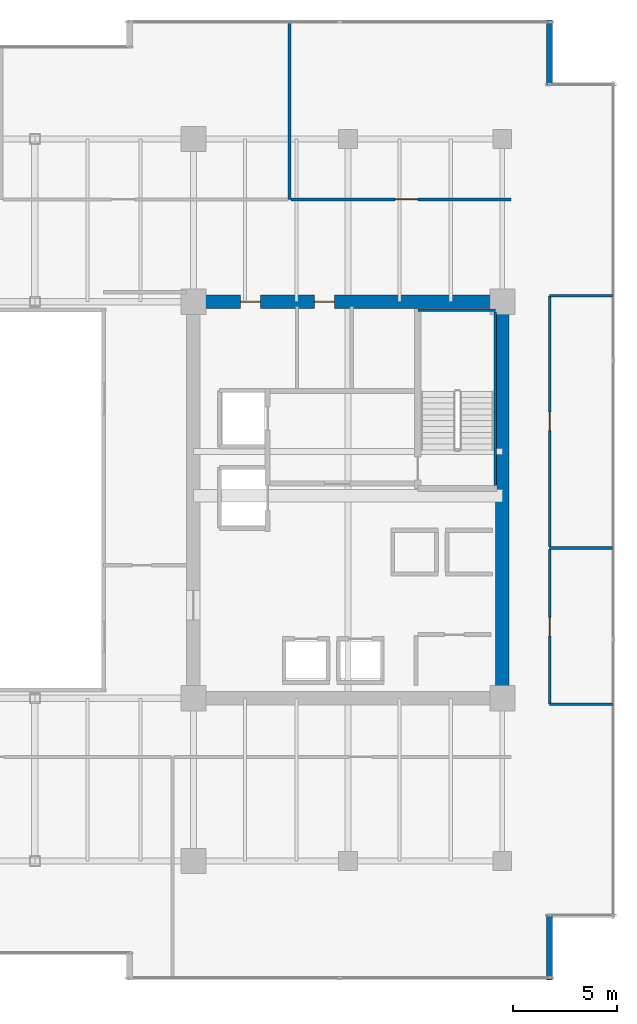
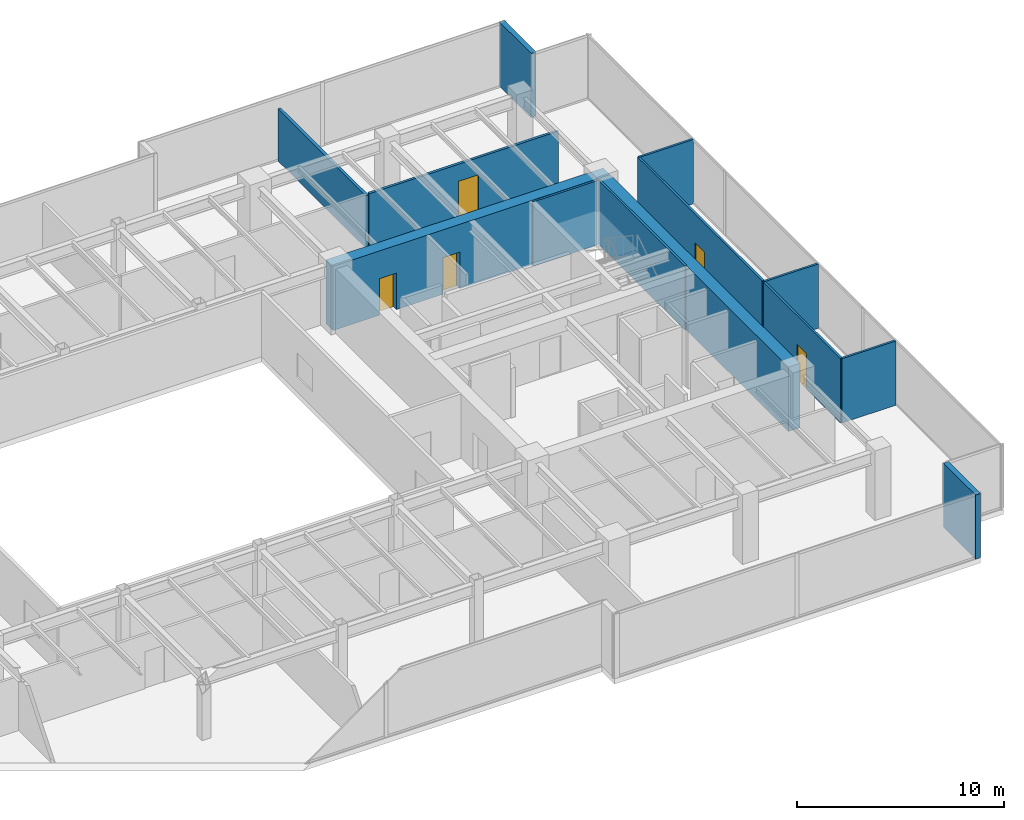
# One storey, part 28 of 31: 13 walls, 5 doors, 5 openings.
"""IFC4 building model written with IfcOpenShell, lengths in metres."""

from ifc_helpers import new_model, si_unit, direction, frame, frame_2d, origin, place, context, subcontext, project, spatial, rectangle, extrude, source, transform, mapped, material, layer, layer_set, type_object, type_shapes, element, fill, save


model = new_model("IFC4")

# Units and contexts
model_context = context("Model", 3, precision=1e-05, world=origin(), true_north=direction((0.0, 1.0)))
body_context = subcontext(model_context, "Body", "Model", "MODEL_VIEW")
ifc_project = project(units=[si_unit("LENGTHUNIT", "METRE"), si_unit("AREAUNIT", "SQUARE_METRE"), si_unit("VOLUMEUNIT", "CUBIC_METRE"), si_unit("PLANEANGLEUNIT", "RADIAN"), si_unit("MASSUNIT", "GRAM", prefix="KILO")], contexts=[model_context])

# Site, building, storey
site_placement = place(None, origin())
site = spatial("IfcSite", under=ifc_project, at=site_placement, CompositionType="ELEMENT")
building_placement = place(site_placement, origin())
building = spatial("IfcBuilding", under=site, at=building_placement, Name="Haelvirn Gate Laboratories", CompositionType="ELEMENT")
storey_placement = place(building_placement, frame((0.0, 0.0, 174.800048828125)))
storey = spatial("IfcBuildingStorey", under=building, at=storey_placement, Name="L42", CompositionType="ELEMENT", Elevation=174.800048828125)

# Walls
ifc_material_1 = material(Name="Thermally-broken bronze aluminium rainscreen & mineral wool", Category="aluminium")
ifc_layer_1 = layer(ifc_material_1, 0.280029296875, Name="EW-TERR-280")
ifc_layer_set_1 = layer_set([ifc_layer_1], Name="Thermally-broken bronze aluminium rainscreen & mineral wool")
wall_type_1 = type_object("IfcWallType", Name="EW-TERR-280", PredefinedType="STANDARD", material=ifc_layer_set_1)
wall_1_placement = place(storey_placement, frame((69.659912109375, 1.300048828125, 0.0), z_axis=(0.0, 0.0, 1.0), x_axis=(0.0, 1.0, 0.0)))
element("IfcWall", 1, at=wall_1_placement, inside=storey, type_object=wall_type_1, Name="L42 Atrium Recess Bronze Return Wall 05", PredefinedType="STANDARD", context=body_context, shape_type="SweptSolid", body=[
    extrude(rectangle(XDim=3.087890625, YDim=0.280029296875, at=frame_2d((1.5439453125, 0.0))), origin(), (0.0, 0.0, 1.0), 3.7900390625),
])
wall_2_placement = place(storey_placement, frame((69.659912109375, 44.2119140625, 0.0), z_axis=(0.0, 0.0, 1.0), x_axis=(0.0, 1.0, 0.0)))
element("IfcWall", 2, at=wall_2_placement, inside=storey, type_object=wall_type_1, Name="L42 Atrium Recess Bronze Return Wall 09", PredefinedType="STANDARD", context=body_context, shape_type="SweptSolid", body=[
    extrude(rectangle(XDim=3.088134765625, YDim=0.280029296875, at=frame_2d((1.5439453125, 0.0))), origin(), (0.0, 0.0, 1.0), 3.7900390625),
])
ifc_material_2 = material(Name="Double-layer acoustic gypsum laboratory partition", Category="gypsum")
ifc_layer_2 = layer(ifc_material_2, 0.159912109375, Name="IW-ACOUST-160")
ifc_layer_set_2 = layer_set([ifc_layer_2], Name="Double-layer acoustic gypsum laboratory partition")
wall_type_2 = type_object("IfcWallType", Name="IW-ACOUST-160", PredefinedType="PARTITIONING", material=ifc_layer_set_2)
wall_3_placement = place(storey_placement, frame((57.199951171875, 38.705078125, 0.0), z_axis=(0.0, 0.0, 1.0), x_axis=(0.0, 1.0, 0.0)))
element("IfcWall", 3, at=wall_3_placement, inside=storey, type_object=wall_type_2, Name="L42 Interior Wall IW-L42-NDIV-04", PredefinedType="PARTITIONING", context=body_context, shape_type="SweptSolid", body=[
    extrude(rectangle(XDim=8.48486328125, YDim=0.159912109375, at=frame_2d((4.242431640625, 0.0))), origin(), (0.0, 0.0, 1.0), 3.074951171875),
])
ifc_material_3 = material(Name="Lightweight acoustic gypsum board partition", Category="gypsum")
ifc_layer_3 = layer(ifc_material_3, 0.1201171875, Name="IW-PART-120")
ifc_layer_set_3 = layer_set([ifc_layer_3], Name="Lightweight acoustic gypsum board partition")
wall_type_3 = type_object("IfcWallType", Name="IW-PART-120", PredefinedType="PARTITIONING", material=ifc_layer_set_3)
for number, where, z_axis, x_axis, name in (
    (4, (69.669921875, 14.514892578125, 0.0), (0.0, 0.0, 1.0), (1.0, 0.0, 0.0), "L42 Interior Wall IW-L42-ECAP-S"),
    (5, (69.669921875, 34.0849609375, 0.0), (0.0, 0.0, 1.0), (1.0, 0.0, 0.0), "L42 Interior Wall IW-L42-ECAP-N"),
):
    element("IfcWall", number, at=place(storey_placement, frame(where, z_axis=z_axis, x_axis=x_axis)), inside=storey, type_object=wall_type_3, Name=name, PredefinedType="PARTITIONING", context=body_context, shape_type="SweptSolid", body=[
        extrude(rectangle(XDim=3.02001953125, YDim=0.1201171875, at=frame_2d((1.510009765625, 0.0))), origin(), (0.0, 0.0, 1.0), 3.7900390625),
    ])

# Wall, opening, door
wall_4_placement = place(storey_placement, frame((69.669921875, 14.514892578125, 0.0), z_axis=(0.0, 0.0, 1.0), x_axis=(0.0, 1.0, 0.0)))
wall_4 = element("IfcWall", 6, at=wall_4_placement, inside=storey, type_object=wall_type_3, Name="L42 Interior Wall IW-L42-EPASS-01", PredefinedType="PARTITIONING", context=body_context, shape_type="SweptSolid", body=[
    extrude(rectangle(XDim=7.425048828125, YDim=0.1201171875, at=frame_2d((3.71240234375, 0.0))), origin(), (0.0, 0.0, 1.0), 3.7900390625),
])
opening_1_placement = place(wall_4_placement, frame((3.262451171875, 0.0, 0.0)))
opening_1 = element("IfcOpeningElement", 7, at=opening_1_placement, cuts=wall_4, Name="Opening D4", PredefinedType="OPENING", context=body_context, shape_type="SweptSolid", body=[
    extrude(rectangle(XDim=0.89990234375, YDim=2.10009765625, at=frame_2d((0.449951171875, 1.050048828125))), frame((0.0, 0.070068359375, 0.0), z_axis=(0.0, -1.0, 0.0), x_axis=(1.0, 0.0, 0.0)), (0.0, 0.0, 1.0), 0.14013671875),
])
ifc_material_4 = material(Name="Glazed aluminium-framed write-up door", Category="aluminium")
door_type_1 = type_object("IfcDoorType", Name="DR-OFF-900", OperationType="NOTDEFINED", PredefinedType="DOOR", material=ifc_material_4)
shared_shape_1 = source(origin(), body_context, "Body", "SweptSolid", [
    extrude(rectangle(XDim=0.89990234375, YDim=2.10009765625, at=frame_2d((0.449951171875, 1.050048828125))), frame((0.0, 0.02490234375, 0.0), z_axis=(0.0, -1.0, 0.0), x_axis=(1.0, 0.0, 0.0)), (0.0, 0.0, 1.0), 0.050048828125),
])
type_shapes(door_type_1, [shared_shape_1])
door_1_placement = place(opening_1_placement, origin())
door_1 = element("IfcDoor", 8, at=door_1_placement, inside=storey, type_object=door_type_1, Name="L42 Genomics Assay Laboratory Door E1", OperationType="SINGLE_SWING_LEFT", OverallHeight=2.10009765625, OverallWidth=0.89990234375, PredefinedType="DOOR", context=body_context, shape_type="MappedRepresentation", body=[
    mapped(shared_shape_1, transform((0.0, 0.0, 0.0), scale=1.0)),
])
fill(opening_1, door_1)

# Wall
wall_5_placement = place(storey_placement, frame((69.669921875, 22.0, 0.0), z_axis=(0.0, 0.0, 1.0), x_axis=(1.0, 0.0, 0.0)))
element("IfcWall", 9, at=wall_5_placement, inside=storey, type_object=wall_type_3, Name="L42 Interior Wall IW-L42-EDIV-01", PredefinedType="PARTITIONING", context=body_context, shape_type="SweptSolid", body=[
    extrude(rectangle(XDim=3.02001953125, YDim=0.1201171875, at=frame_2d((1.510009765625, 0.0))), origin(), (0.0, 0.0, 1.0), 3.7900390625),
])

# Wall, opening, door
wall_6_placement = place(storey_placement, frame((69.669921875, 22.06005859375, 0.0), z_axis=(0.0, 0.0, 1.0), x_axis=(0.0, 1.0, 0.0)))
wall_6 = element("IfcWall", 10, at=wall_6_placement, inside=storey, type_object=wall_type_3, Name="L42 Interior Wall IW-L42-EPASS-02", PredefinedType="PARTITIONING", context=body_context, shape_type="SweptSolid", body=[
    extrude(rectangle(XDim=12.02490234375, YDim=0.1201171875, at=frame_2d((6.012451171875, 0.0))), origin(), (0.0, 0.0, 1.0), 3.7900390625),
])
opening_2_placement = place(wall_6_placement, frame((5.5625, 0.0, 0.0)))
opening_2 = element("IfcOpeningElement", 11, at=opening_2_placement, cuts=wall_6, Name="Opening D4", PredefinedType="OPENING", context=body_context, shape_type="SweptSolid", body=[
    extrude(rectangle(XDim=0.89990234375, YDim=2.10009765625, at=frame_2d((0.449951171875, 1.050048828125))), frame((0.0, 0.070068359375, 0.0), z_axis=(0.0, -1.0, 0.0), x_axis=(1.0, 0.0, 0.0)), (0.0, 0.0, 1.0), 0.14013671875),
])
door_2_placement = place(opening_2_placement, origin())
door_2 = element("IfcDoor", 12, at=door_2_placement, inside=storey, type_object=door_type_1, Name="L42 Proteomics Mass-Spec Laboratory Door E2", OperationType="SINGLE_SWING_RIGHT", OverallHeight=2.10009765625, OverallWidth=0.89990234375, PredefinedType="DOOR", context=body_context, shape_type="MappedRepresentation", body=[
    mapped(shared_shape_1, transform((0.0, 0.0, 0.0), scale=1.0)),
])
fill(opening_2, door_2)

ifc_material_5 = material(Name="Acoustic mineral-wool gypsum board partition", Category="gypsum")
ifc_layer_4 = layer(ifc_material_5, 0.139892578125, Name="IW-PART-140")
ifc_layer_set_4 = layer_set([ifc_layer_4], Name="Acoustic mineral-wool gypsum board partition")
wall_type_4 = type_object("IfcWallType", Name="IW-PART-140", PredefinedType="PARTITIONING", material=ifc_layer_set_4)
wall_7_placement = place(storey_placement, frame((57.280029296875, 38.705078125, 0.0), z_axis=(0.0, 0.0, 1.0), x_axis=(1.0, 0.0, 0.0)))
wall_7 = element("IfcWall", 13, at=wall_7_placement, inside=storey, type_object=wall_type_4, Name="L42 Interior Wall IW-L42-NCORR-05", PredefinedType="PARTITIONING", context=body_context, shape_type="SweptSolid", body=[
    extrude(rectangle(XDim=10.5400390625, YDim=0.139892578125, at=frame_2d((5.27001953125, 0.0))), origin(), (0.0, 0.0, 1.0), 3.18701171875),
])
opening_3_placement = place(wall_7_placement, frame((4.982177734375, 0.0, 0.0)))
opening_3 = element("IfcOpeningElement", 14, at=opening_3_placement, cuts=wall_7, Name="Opening D1", PredefinedType="OPENING", context=body_context, shape_type="SweptSolid", body=[
    extrude(rectangle(XDim=1.10009765625, YDim=2.179931640625, at=frame_2d((0.550048828125, 1.08984375))), frame((0.0, 0.080078125, 0.0), z_axis=(0.0, -1.0, 0.0), x_axis=(1.0, 0.0, 0.0)), (0.0, 0.0, 1.0), 0.159912109375),
])
ifc_material_6 = material(Name="Vision-panel acoustic solid-core timber lab door", Category="wood")
door_type_2 = type_object("IfcDoorType", Name="DR-LAB-1100", OperationType="NOTDEFINED", PredefinedType="DOOR", material=ifc_material_6)
shared_shape_2 = source(origin(), body_context, "Body", "SweptSolid", [
    extrude(rectangle(XDim=1.10009765625, YDim=2.179931640625, at=frame_2d((0.550048828125, 1.08984375))), frame((0.0, 0.02490234375, 0.0), z_axis=(0.0, -1.0, 0.0), x_axis=(1.0, 0.0, 0.0)), (0.0, 0.0, 1.0), 0.050048828125),
])
type_shapes(door_type_2, [shared_shape_2])
door_3_placement = place(opening_3_placement, origin())
door_3 = element("IfcDoor", 15, at=door_3_placement, inside=storey, type_object=door_type_2, Name="L42 Peer-Review Seminar Room Door N5", OperationType="SINGLE_SWING_RIGHT", OverallHeight=2.179931640625, OverallWidth=1.10009765625, PredefinedType="DOOR", context=body_context, shape_type="MappedRepresentation", body=[
    mapped(shared_shape_2, transform((0.0, 0.0, 0.0), scale=1.0)),
])
fill(opening_3, door_3)

# Wall, openings, doors
ifc_material_7 = material(Name="Concrete C60/75", Category="concrete")
ifc_layer_5 = layer(ifc_material_7, 0.64990234375, Name="SW-CORE-650")
ifc_layer_set_5 = layer_set([ifc_layer_5], Name="Concrete C60/75")
wall_type_5 = type_object("IfcWallType", Name="SW-CORE-650", PredefinedType="SHEAR", material=ifc_layer_set_5)
wall_8_placement = place(storey_placement, frame((52.27490234375, 33.800048828125, 0.0), z_axis=(0.0, 0.0, 1.0), x_axis=(1.0, 0.0, 0.0)))
wall_8 = element("IfcWall", 16, at=wall_8_placement, inside=storey, type_object=wall_type_5, Name="L42 E Core Shear Wall N", PredefinedType="SHEAR", context=body_context, shape_type="SweptSolid", body=[
    extrude(rectangle(XDim=15.4501953125, YDim=0.64990234375, at=frame_2d((7.72509765625, 0.0))), origin(), (0.0, 0.0, 1.0), 3.7900390625),
])
opening_4_placement = place(wall_8_placement, frame((6.125, 0.0, 0.0)))
opening_4 = element("IfcOpeningElement", 17, at=opening_4_placement, cuts=wall_8, Name="Opening FD4", PredefinedType="OPENING", context=body_context, shape_type="SweptSolid", body=[
    extrude(rectangle(XDim=0.949951171875, YDim=2.14990234375, at=frame_2d((0.47509765625, 1.074951171875))), frame((0.0, 0.3349609375, 0.0), z_axis=(0.0, -1.0, 0.0), x_axis=(1.0, 0.0, 0.0)), (0.0, 0.0, 1.0), 0.669921875),
])
opening_5_placement = place(wall_8_placement, frame((2.5849609375, 0.0, 0.0)))
opening_5 = element("IfcOpeningElement", 18, at=opening_5_placement, cuts=wall_8, Name="Opening FD4", PredefinedType="OPENING", context=body_context, shape_type="SweptSolid", body=[
    extrude(rectangle(XDim=0.949951171875, YDim=2.14990234375, at=frame_2d((0.47509765625, 1.074951171875))), frame((0.0, 0.3349609375, 0.0), z_axis=(0.0, -1.0, 0.0), x_axis=(1.0, 0.0, 0.0)), (0.0, 0.0, 1.0), 0.669921875),
])
ifc_material_8 = material(Name="Fire-rated steel SM355 core service door", Category="steel")
door_type_3 = type_object("IfcDoorType", Name="DR-FD-950", OperationType="NOTDEFINED", PredefinedType="DOOR", material=ifc_material_8)
shared_shape_3 = source(origin(), body_context, "Body", "SweptSolid", [
    extrude(rectangle(XDim=0.949951171875, YDim=2.14990234375, at=frame_2d((0.47509765625, 1.074951171875))), frame((0.0, 0.02490234375, 0.0), z_axis=(0.0, -1.0, 0.0), x_axis=(1.0, 0.0, 0.0)), (0.0, 0.0, 1.0), 0.050048828125),
])
type_shapes(door_type_3, [shared_shape_3])
door_4_placement = place(opening_4_placement, origin())
door_4 = element("IfcDoor", 19, at=door_4_placement, inside=storey, type_object=door_type_3, Name="L42 Accessible Restroom Fire Door", OperationType="SINGLE_SWING_LEFT", OverallHeight=2.14990234375, OverallWidth=0.949951171875, PredefinedType="DOOR", context=body_context, shape_type="MappedRepresentation", body=[
    mapped(shared_shape_3, transform((0.0, 0.0, 0.0), scale=1.0)),
])
fill(opening_4, door_4)
door_5_placement = place(opening_5_placement, origin())
door_5 = element("IfcDoor", 20, at=door_5_placement, inside=storey, type_object=door_type_3, Name="L42 Staff Restroom Fire Door", OperationType="SINGLE_SWING_RIGHT", OverallHeight=2.14990234375, OverallWidth=0.949951171875, PredefinedType="DOOR", context=body_context, shape_type="MappedRepresentation", body=[
    mapped(shared_shape_3, transform((0.0, 0.0, 0.0), scale=1.0)),
])
fill(opening_5, door_5)

# Walls
wall_9_placement = place(storey_placement, frame((67.39990234375, 15.125, 0.0), z_axis=(0.0, 0.0, 1.0), x_axis=(0.0, 1.0, 0.0)))
element("IfcWall", 21, at=wall_9_placement, inside=storey, type_object=wall_type_5, Name="L42 E Core Shear Wall E", PredefinedType="SHEAR", context=body_context, shape_type="SweptSolid", body=[
    extrude(rectangle(XDim=18.35009765625, YDim=0.64990234375, at=frame_2d((9.175048828125, 0.0))), origin(), (0.0, 0.0, 1.0), 3.7900390625),
])
ifc_material_9 = material(Name="Concrete C50/60", Category="concrete")
ifc_layer_6 = layer(ifc_material_9, 0.1201171875, Name="SW-LINER-120")
ifc_layer_set_6 = layer_set([ifc_layer_6], Name="Concrete C50/60")
wall_type_6 = type_object("IfcWallType", Name="SW-LINER-120", PredefinedType="SOLIDWALL", material=ifc_layer_set_6)
wall_10_placement = place(storey_placement, frame((63.35009765625, 33.39990234375, 0.0), z_axis=(0.0, 0.0, 1.0), x_axis=(1.0, 0.0, 0.0)))
element("IfcWall", 22, at=wall_10_placement, inside=storey, type_object=wall_type_6, Name="L42 E Core Stair Shaft Liner Wall N", PredefinedType="SOLIDWALL", context=body_context, shape_type="SweptSolid", body=[
    extrude(rectangle(XDim=3.719970703125, YDim=0.1201171875, at=frame_2d((1.85986328125, 0.0))), origin(), (0.0, 0.0, 1.0), 3.7900390625),
])
wall_11_placement = place(storey_placement, frame((67.070068359375, 25.0, 0.0), z_axis=(0.0, 0.0, 1.0), x_axis=(0.0, 1.0, 0.0)))
element("IfcWall", 23, at=wall_11_placement, inside=storey, type_object=wall_type_6, Name="L42 E Core Stair Shaft Liner Wall OUT", PredefinedType="SOLIDWALL", context=body_context, shape_type="SweptSolid", body=[
    extrude(rectangle(XDim=8.320068359375, YDim=0.1201171875, at=frame_2d((4.16015625, 0.0))), origin(), (0.0, 0.0, 1.0), 3.7900390625),
])

save(model, "model.ifc")
